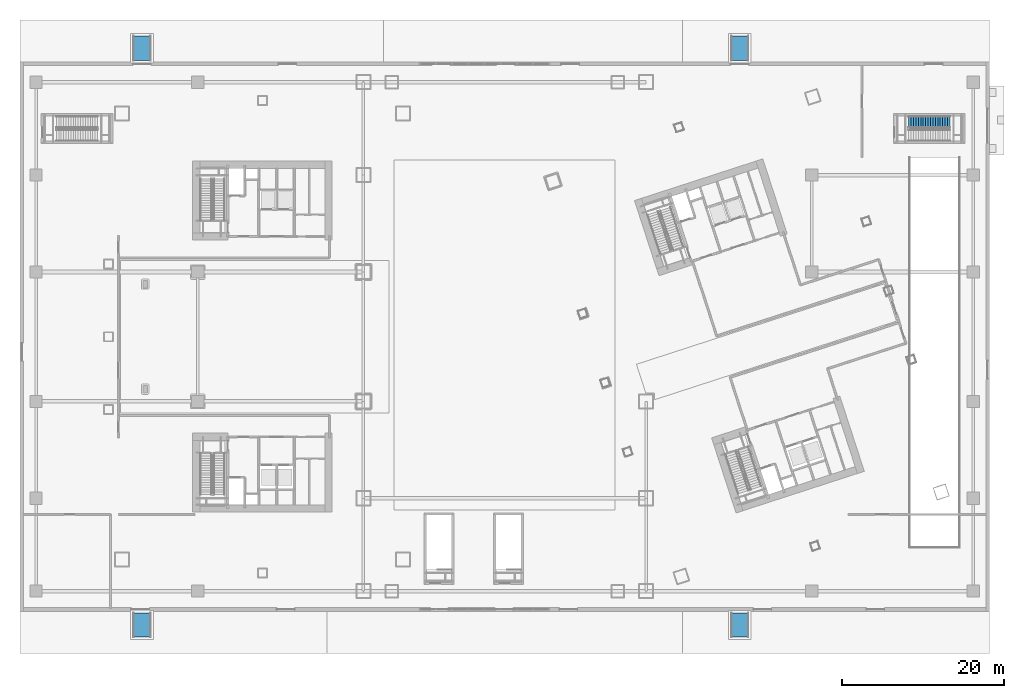
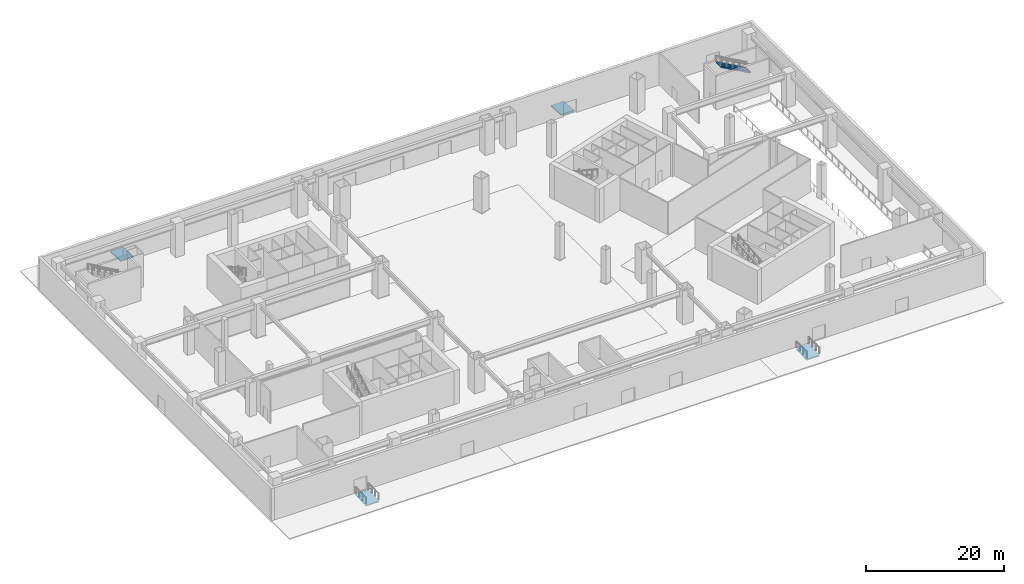
# One storey, part 19 of 31: 4 ramp flights, 1 stair flight, 5 elements without a shape of their own.
"""IFC4 building model written with IfcOpenShell, lengths in metres."""

from ifc_helpers import new_model, si_unit, direction, frame, origin, place, context, subcontext, project, spatial, polyline, outline, extrude, material, layer, layer_set, type_object, element, aggregate, save


model = new_model("IFC4")

# Units and contexts
model_context = context("Model", 3, precision=1e-05, world=origin(), true_north=direction((0.0, 1.0)))
body_context = subcontext(model_context, "Body", "Model", "MODEL_VIEW")
ifc_project = project(units=[si_unit("LENGTHUNIT", "METRE"), si_unit("AREAUNIT", "SQUARE_METRE"), si_unit("VOLUMEUNIT", "CUBIC_METRE"), si_unit("PLANEANGLEUNIT", "RADIAN"), si_unit("MASSUNIT", "GRAM", prefix="KILO")], contexts=[model_context])

# Site, building, storey
site_placement = place(None, origin())
site = spatial("IfcSite", under=ifc_project, at=site_placement, CompositionType="ELEMENT")
building_placement = place(site_placement, origin())
building = spatial("IfcBuilding", under=site, at=building_placement, Name="Qiaolan Cultural Towers", CompositionType="ELEMENT")
storey_placement = place(building_placement, origin())
storey = spatial("IfcBuildingStorey", under=building, at=storey_placement, Name="L00", CompositionType="ELEMENT", Elevation=0.0)

# Stair, stair flight
ifc_material_1 = material(Name="Concrete C45", Category="concrete")
stair_type = type_object("IfcStairType", Name="STR-POD-1650", PredefinedType="HALF_TURN_STAIR", material=ifc_material_1)
stair_placement = place(storey_placement, origin())
stair = element("IfcStair", 1, at=stair_placement, inside=storey, type_object=stair_type, Name="L00 Podium Northeast Exit Stair ST-P2", PredefinedType="HALF_TURN_STAIR")
ifc_material_2 = material(Name="Concrete C45", Category="concrete")
stair_flight_type = type_object("IfcStairFlightType", Name="STR-POD-1650-FL", PredefinedType="STRAIGHT", material=ifc_material_2)
stair_flight_placement = place(storey_placement, frame((115.10009765625, 60.574951171875, 3.0), z_axis=(0.0, 0.0, 1.0), x_axis=(-1.0, 0.0, 0.0)))
stair_flight = element("IfcStairFlight", 2, at=stair_flight_placement, type_object=stair_flight_type, Name="ST-P2 flight 2", NumberOfRisers=18, NumberOfTreads=17, PredefinedType="STRAIGHT", RiserHeight=0.166666667, TreadLength=0.3, context=body_context, shape_type="SweptSolid", body=[
    extrude(outline(polyline([(0.0, 0.0), (0.0, 0.166748046875), (0.300048828125, 0.166748046875), (0.300048828125, 0.333251953125), (0.60009765625, 0.333251953125), (0.60009765625, 0.5), (0.89990234375, 0.5), (0.89990234375, 0.666748046875), (1.199951171875, 0.666748046875), (1.199951171875, 0.833251953125), (1.5, 0.833251953125), (1.5, 1.0), (1.800048828125, 1.0), (1.800048828125, 1.166748046875), (2.10009765625, 1.166748046875), (2.10009765625, 1.333251953125), (2.39990234375, 1.333251953125), (2.39990234375, 1.5), (2.699951171875, 1.5), (2.699951171875, 1.666748046875), (3.0, 1.666748046875), (3.0, 1.833251953125), (3.300048828125, 1.833251953125), (3.300048828125, 2.0), (3.60009765625, 2.0), (3.60009765625, 2.166748046875), (3.89990234375, 2.166748046875), (3.89990234375, 2.333251953125), (4.199951171875, 2.333251953125), (4.199951171875, 2.5), (4.5, 2.5), (4.5, 2.666748046875), (4.800048828125, 2.666748046875), (4.800048828125, 2.833251953125), (5.10009765625, 2.833251953125), (5.10009765625, 3.0), (5.10009765625, 2.661865234375), (0.30859375, 0.0), (0.0, 0.0)])), frame((0.0, 0.72509765625, 0.0), z_axis=(0.0, -1.0, 0.0), x_axis=(1.0, 0.0, 0.0)), (0.0, 0.0, 1.0), 1.449951171875),
])
aggregate(stair, [stair_flight])

# Ramp, ramp flight
ifc_material_3 = material(Name="Precast Concrete C40", Category="concrete")
ramp_type = type_object("IfcRampType", Name="RMP-ACC-1800", PredefinedType="STRAIGHT_RUN_RAMP", material=ifc_material_3)
ramp_1_placement = place(storey_placement, origin())
ramp_1 = element("IfcRamp", 3, at=ramp_1_placement, inside=storey, type_object=ramp_type, Name="South West Accessible Entrance Ramp", PredefinedType="STRAIGHT_RUN_RAMP")
ifc_material_4 = material(Name="Precast Concrete C40", Category="concrete")
ifc_layer = layer(ifc_material_4, 0.219970703125)
ifc_layer_set = layer_set([ifc_layer], Name="Precast Concrete C40")
ramp_flight_type = type_object("IfcRampFlightType", Name="RMP-ACC-FL", PredefinedType="STRAIGHT", material=ifc_layer_set)
ramp_flight_1_placement = place(storey_placement, frame((14.0, -3.199951171875, -0.179931640625), z_axis=(0.0, -0.059869626719, 0.998206205048), x_axis=(1.0, 0.0, 0.0)))
ramp_flight_1 = element("IfcRampFlight", 4, at=ramp_flight_1_placement, type_object=ramp_flight_type, Name="South West Accessible Entrance Ramp Flight", PredefinedType="STRAIGHT", context=body_context, shape_type="SweptSolid", body=[
    extrude(outline(polyline([(0.0, 0.0), (2.199951171875, 0.0), (2.199951171875, 3.0053910553034533), (0.0, 3.0053910553034533), (0.0, 0.0)])), origin(), (0.0, 0.0, -1.0), 0.219970703125),
])
aggregate(ramp_1, [ramp_flight_1])

ramp_2_placement = place(storey_placement, origin())
ramp_2 = element("IfcRamp", 5, at=ramp_2_placement, inside=storey, type_object=ramp_type, Name="South East Accessible Entrance Ramp", PredefinedType="STRAIGHT_RUN_RAMP")
ramp_flight_2_placement = place(storey_placement, frame((88.0, -3.199951171875, -0.179931640625), z_axis=(0.0, -0.059869626719, 0.998206205048), x_axis=(1.0, 0.0, 0.0)))
ramp_flight_2 = element("IfcRampFlight", 6, at=ramp_flight_2_placement, type_object=ramp_flight_type, Name="South East Accessible Entrance Ramp Flight", PredefinedType="STRAIGHT", context=body_context, shape_type="SweptSolid", body=[
    extrude(outline(polyline([(0.0, 0.0), (2.199951171875, 0.0), (2.199951171875, 3.0053910553034533), (0.0, 3.0053910553034533), (0.0, 0.0)])), origin(), (0.0, 0.0, -1.0), 0.219970703125),
])
aggregate(ramp_2, [ramp_flight_2])

ramp_3_placement = place(storey_placement, origin())
ramp_3 = element("IfcRamp", 7, at=ramp_3_placement, inside=storey, type_object=ramp_type, Name="North West Accessible Entrance Ramp", PredefinedType="STRAIGHT_RUN_RAMP")
ramp_flight_3_placement = place(storey_placement, frame((14.0, 68.199951171875, 0.0), z_axis=(0.0, 0.059869626719, 0.998206205048), x_axis=(1.0, 0.0, 0.0)))
ramp_flight_3 = element("IfcRampFlight", 8, at=ramp_flight_3_placement, type_object=ramp_flight_type, Name="North West Accessible Entrance Ramp Flight", PredefinedType="STRAIGHT", context=body_context, shape_type="SweptSolid", body=[
    extrude(outline(polyline([(0.0, 0.0), (2.199951171875, 0.0), (2.199951171875, 3.0053910553034533), (0.0, 3.0053910553034533), (0.0, 0.0)])), origin(), (0.0, 0.0, -1.0), 0.219970703125),
])
aggregate(ramp_3, [ramp_flight_3])

ramp_4_placement = place(storey_placement, origin())
ramp_4 = element("IfcRamp", 9, at=ramp_4_placement, inside=storey, type_object=ramp_type, Name="North East Accessible Entrance Ramp", PredefinedType="STRAIGHT_RUN_RAMP")
ramp_flight_4_placement = place(storey_placement, frame((88.0, 68.199951171875, 0.0), z_axis=(0.0, 0.059869626719, 0.998206205048), x_axis=(1.0, 0.0, 0.0)))
ramp_flight_4 = element("IfcRampFlight", 10, at=ramp_flight_4_placement, type_object=ramp_flight_type, Name="North East Accessible Entrance Ramp Flight", PredefinedType="STRAIGHT", context=body_context, shape_type="SweptSolid", body=[
    extrude(outline(polyline([(0.0, 0.0), (2.199951171875, 0.0), (2.199951171875, 3.0053910553034533), (0.0, 3.0053910553034533), (0.0, 0.0)])), origin(), (0.0, 0.0, -1.0), 0.219970703125),
])
aggregate(ramp_4, [ramp_flight_4])

save(model, "model.ifc")
